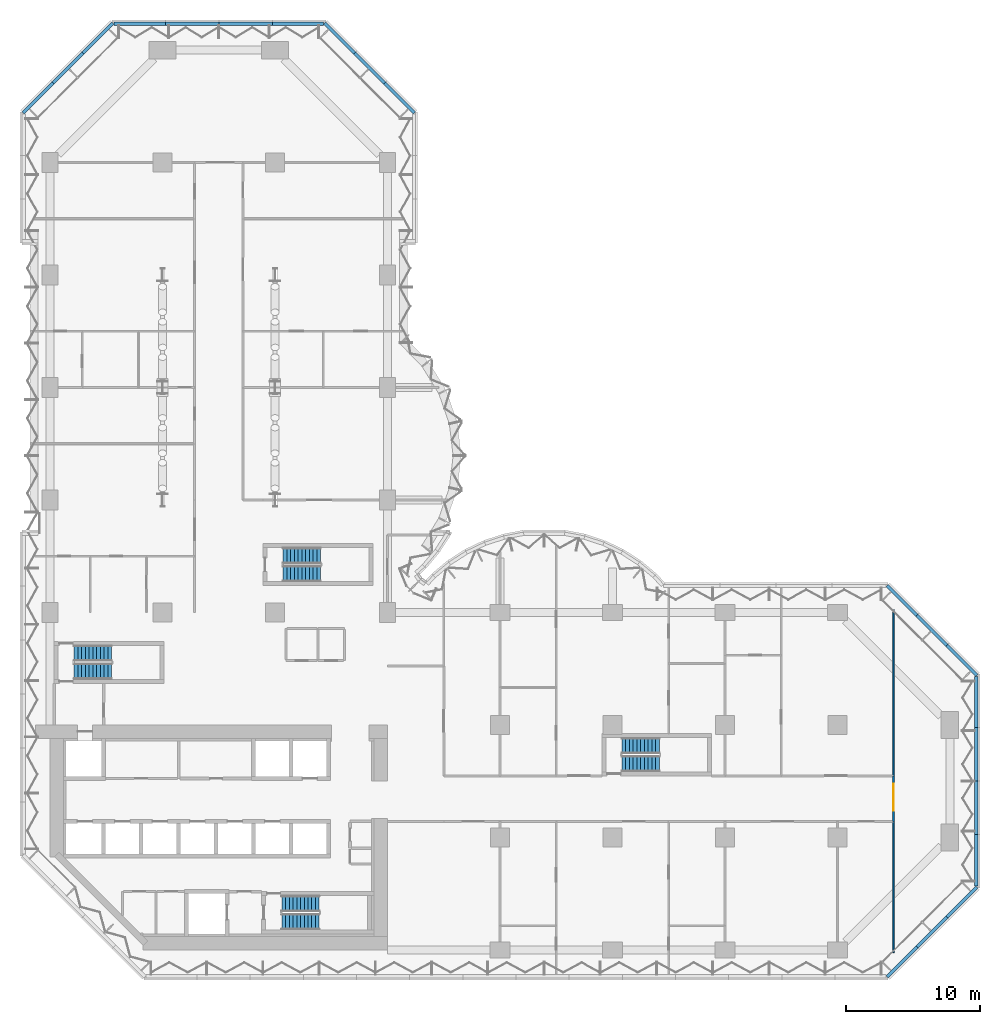
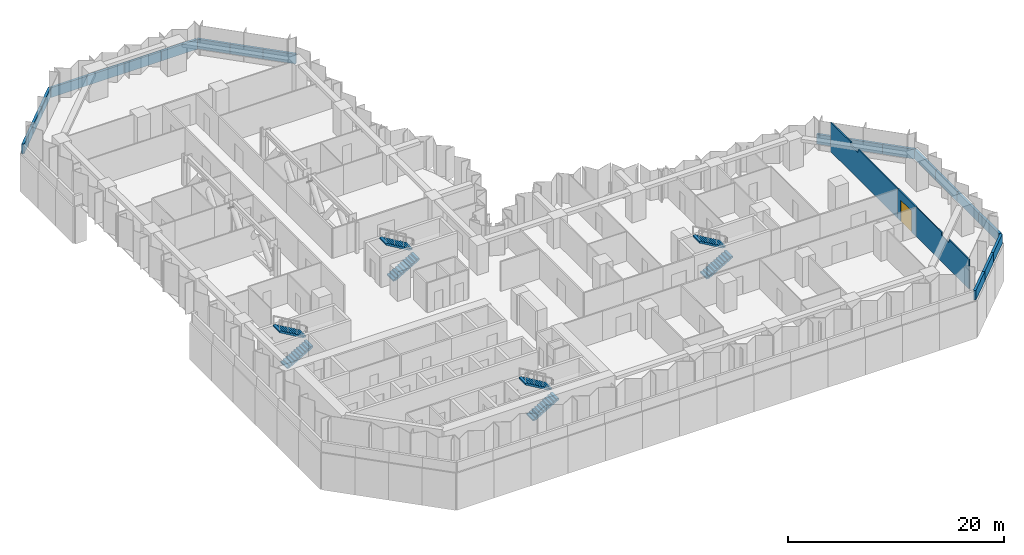
# One storey, part 15 of 24: 23 walls, 8 stair flights, 1 door, 1 opening, 4 elements without a shape of their own.
"""IFC4 building model written with IfcOpenShell, lengths in metres."""

from ifc_helpers import new_model, si_unit, direction, frame, frame_2d, origin, place, context, subcontext, project, spatial, polyline, rectangle, outline, extrude, material, layer, layer_set, type_object, element, fill, aggregate, save


model = new_model("IFC4")

# Units and contexts
model_context = context("Model", 3, precision=1e-05, world=origin(), true_north=direction((0.0, 1.0)))
body_context = subcontext(model_context, "Body", "Model", "MODEL_VIEW")
ifc_project = project(units=[si_unit("LENGTHUNIT", "METRE"), si_unit("AREAUNIT", "SQUARE_METRE"), si_unit("VOLUMEUNIT", "CUBIC_METRE"), si_unit("PLANEANGLEUNIT", "RADIAN"), si_unit("MASSUNIT", "GRAM", prefix="KILO")], contexts=[model_context])

# Site, building, storey
site_placement = place(None, origin())
site = spatial("IfcSite", under=ifc_project, at=site_placement, CompositionType="ELEMENT")
building_placement = place(site_placement, origin())
building = spatial("IfcBuilding", under=site, at=building_placement, Name="Brevane Broadcast Tower", CompositionType="ELEMENT")
storey_placement = place(building_placement, frame((0.0, 0.0, 36.5)))
storey = spatial("IfcBuildingStorey", under=building, at=storey_placement, Name="L06", CompositionType="ELEMENT", Elevation=36.5)

# Walls
ifc_material_1 = material(Name="Concrete C50/60", Category="concrete")
ifc_layer_1 = layer(ifc_material_1, 0.25)
ifc_layer_set_1 = layer_set([ifc_layer_1], Name="CORNICE PARAPET 1100")
wall_type_1 = type_object("IfcWallType", Name="CORNICE PARAPET 1100", PredefinedType="PARAPET", material=ifc_layer_set_1)
wall_1_placement = place(storey_placement, frame((62.5087890625, 27.211669921875, 0.0), z_axis=(0.0, 0.0, 1.0), x_axis=(0.70706814675, -0.707145413513, 0.0)))
element("IfcWall", 1, at=wall_1_placement, inside=storey, type_object=wall_type_1, Name="Cornice parapet", PredefinedType="PARAPET", context=body_context, shape_type="SweptSolid", body=[
    extrude(rectangle(XDim=3.15966796875, YDim=0.25, at=frame_2d((1.579833984375, 0.0))), origin(), (0.0, 0.0, 1.0), 1.10009765625),
])
wall_2_placement = place(storey_placement, frame((64.742919921875, 24.977294921875, 0.0), z_axis=(0.0, 0.0, 1.0), x_axis=(0.707106781187, -0.707106781187, 0.0)))
element("IfcWall", 2, at=wall_2_placement, inside=storey, type_object=wall_type_1, Name="Cornice parapet", PredefinedType="PARAPET", context=body_context, shape_type="SweptSolid", body=[
    extrude(rectangle(XDim=3.159912109375, YDim=0.25, at=frame_2d((1.580078125, 0.0))), origin(), (0.0, 0.0, 1.0), 1.10009765625),
])
wall_3_placement = place(storey_placement, frame((66.977294921875, 22.742919921875, 0.0), z_axis=(0.0, 0.0, 1.0), x_axis=(0.707145413513, -0.70706814675, 0.0)))
element("IfcWall", 3, at=wall_3_placement, inside=storey, type_object=wall_type_1, Name="Cornice parapet", PredefinedType="PARAPET", context=body_context, shape_type="SweptSolid", body=[
    extrude(rectangle(XDim=3.15966796875, YDim=0.25, at=frame_2d((1.579833984375, 0.0))), origin(), (0.0, 0.0, 1.0), 1.10009765625),
])
wall_4_placement = place(storey_placement, frame((69.175048828125, 20.427001953125, 0.0), z_axis=(0.0, 0.0, 1.0), x_axis=(0.0, -1.0, 0.0)))
element("IfcWall", 4, at=wall_4_placement, inside=storey, type_object=wall_type_1, Name="Cornice parapet", PredefinedType="PARAPET", context=body_context, shape_type="SweptSolid", body=[
    extrude(rectangle(XDim=3.82861328125, YDim=0.25, at=frame_2d((1.914306640625, 0.0))), origin(), (0.0, 0.0, 1.0), 1.10009765625),
])
wall_5_placement = place(storey_placement, frame((69.175048828125, 16.598388671875, 0.0), z_axis=(0.0, 0.0, 1.0), x_axis=(0.0, -1.0, 0.0)))
element("IfcWall", 5, at=wall_5_placement, inside=storey, type_object=wall_type_1, Name="Cornice parapet", PredefinedType="PARAPET", context=body_context, shape_type="SweptSolid", body=[
    extrude(rectangle(XDim=3.998291015625, YDim=0.25, at=frame_2d((1.9990234375, 0.0))), origin(), (0.0, 0.0, 1.0), 1.10009765625),
])
wall_6_placement = place(storey_placement, frame((69.175048828125, 12.60009765625, 0.0), z_axis=(0.0, 0.0, 1.0), x_axis=(0.0, -1.0, 0.0)))
element("IfcWall", 6, at=wall_6_placement, inside=storey, type_object=wall_type_1, Name="Cornice parapet", PredefinedType="PARAPET", context=body_context, shape_type="SweptSolid", body=[
    extrude(rectangle(XDim=3.99853515625, YDim=0.25, at=frame_2d((1.999267578125, 0.0))), origin(), (0.0, 0.0, 1.0), 1.10009765625),
])
wall_7_placement = place(storey_placement, frame((69.175048828125, 8.6015625, 0.0), z_axis=(0.0, 0.0, 1.0), x_axis=(0.0, -1.0, 0.0)))
element("IfcWall", 7, at=wall_7_placement, inside=storey, type_object=wall_type_1, Name="Cornice parapet", PredefinedType="PARAPET", context=body_context, shape_type="SweptSolid", body=[
    extrude(rectangle(XDim=3.82861328125, YDim=0.25, at=frame_2d((1.914306640625, 0.0))), origin(), (0.0, 0.0, 1.0), 1.10009765625),
])
for number, where, z_axis, x_axis, name in (
    (8, (69.211669921875, 4.69140625, 0.0), (0.0, 0.0, 1.0), (-0.707106781187, -0.707106781187, 0.0), "Cornice parapet"),
    (9, (66.977294921875, 2.45703125, 0.0), (0.0, 0.0, 1.0), (-0.707106781187, -0.707106781187, 0.0), "Cornice parapet"),
):
    element("IfcWall", number, at=place(storey_placement, frame(where, z_axis=z_axis, x_axis=x_axis)), inside=storey, type_object=wall_type_1, Name=name, PredefinedType="PARAPET", context=body_context, shape_type="SweptSolid", body=[
        extrude(rectangle(XDim=3.159912109375, YDim=0.25, at=frame_2d((1.580078125, 0.0))), origin(), (0.0, 0.0, 1.0), 1.10009765625),
    ])
for number, where, z_axis, x_axis, name in (
    (10, (64.742919921875, 0.22265625, 0.0), (0.0, 0.0, 1.0), (-0.70706814675, -0.707145413513, 0.0), "Cornice parapet"),
    (11, (-2.01171875, 62.5087890625, 0.0), (0.0, 0.0, 1.0), (0.707145413513, 0.70706814675, 0.0), "Cornice parapet"),
):
    element("IfcWall", number, at=place(storey_placement, frame(where, z_axis=z_axis, x_axis=x_axis)), inside=storey, type_object=wall_type_1, Name=name, PredefinedType="PARAPET", context=body_context, shape_type="SweptSolid", body=[
        extrude(rectangle(XDim=3.15966796875, YDim=0.25, at=frame_2d((1.579833984375, 0.0))), origin(), (0.0, 0.0, 1.0), 1.10009765625),
    ])
for number, where, z_axis, x_axis, name in (
    (12, (0.22265625, 64.742919921875, 0.0), (0.0, 0.0, 1.0), (0.707106781187, 0.707106781187, 0.0), "Cornice parapet"),
    (13, (2.45703125, 66.977294921875, 0.0), (0.0, 0.0, 1.0), (0.707106781187, 0.707106781187, 0.0), "Cornice parapet"),
):
    element("IfcWall", number, at=place(storey_placement, frame(where, z_axis=z_axis, x_axis=x_axis)), inside=storey, type_object=wall_type_1, Name=name, PredefinedType="PARAPET", context=body_context, shape_type="SweptSolid", body=[
        extrude(rectangle(XDim=3.159912109375, YDim=0.25, at=frame_2d((1.580078125, 0.0))), origin(), (0.0, 0.0, 1.0), 1.10009765625),
    ])
wall_8_placement = place(storey_placement, frame((4.77294921875, 69.175048828125, 0.0), z_axis=(0.0, 0.0, 1.0), x_axis=(1.0, 0.0, 0.0)))
element("IfcWall", 14, at=wall_8_placement, inside=storey, type_object=wall_type_1, Name="Cornice parapet", PredefinedType="PARAPET", context=body_context, shape_type="SweptSolid", body=[
    extrude(rectangle(XDim=3.82861328125, YDim=0.25, at=frame_2d((1.914306640625, 0.0))), origin(), (0.0, 0.0, 1.0), 1.10009765625),
])
wall_9_placement = place(storey_placement, frame((8.6015625, 69.175048828125, 0.0), z_axis=(0.0, 0.0, 1.0), x_axis=(1.0, 0.0, 0.0)))
element("IfcWall", 15, at=wall_9_placement, inside=storey, type_object=wall_type_1, Name="Cornice parapet", PredefinedType="PARAPET", context=body_context, shape_type="SweptSolid", body=[
    extrude(rectangle(XDim=3.99853515625, YDim=0.25, at=frame_2d((1.999267578125, 0.0))), origin(), (0.0, 0.0, 1.0), 1.10009765625),
])
wall_10_placement = place(storey_placement, frame((12.60009765625, 69.175048828125, 0.0), z_axis=(0.0, 0.0, 1.0), x_axis=(1.0, 0.0, 0.0)))
element("IfcWall", 16, at=wall_10_placement, inside=storey, type_object=wall_type_1, Name="Cornice parapet", PredefinedType="PARAPET", context=body_context, shape_type="SweptSolid", body=[
    extrude(rectangle(XDim=3.998291015625, YDim=0.25, at=frame_2d((1.9990234375, 0.0))), origin(), (0.0, 0.0, 1.0), 1.10009765625),
])
wall_11_placement = place(storey_placement, frame((16.598388671875, 69.175048828125, 0.0), z_axis=(0.0, 0.0, 1.0), x_axis=(1.0, 0.0, 0.0)))
element("IfcWall", 17, at=wall_11_placement, inside=storey, type_object=wall_type_1, Name="Cornice parapet", PredefinedType="PARAPET", context=body_context, shape_type="SweptSolid", body=[
    extrude(rectangle(XDim=3.82861328125, YDim=0.25, at=frame_2d((1.914306640625, 0.0))), origin(), (0.0, 0.0, 1.0), 1.10009765625),
])
wall_12_placement = place(storey_placement, frame((20.5087890625, 69.211669921875, 0.0), z_axis=(0.0, 0.0, 1.0), x_axis=(0.70706814675, -0.707145413513, 0.0)))
element("IfcWall", 18, at=wall_12_placement, inside=storey, type_object=wall_type_1, Name="Cornice parapet", PredefinedType="PARAPET", context=body_context, shape_type="SweptSolid", body=[
    extrude(rectangle(XDim=3.15966796875, YDim=0.25, at=frame_2d((1.579833984375, 0.0))), origin(), (0.0, 0.0, 1.0), 1.10009765625),
])
wall_13_placement = place(storey_placement, frame((22.742919921875, 66.977294921875, 0.0), z_axis=(0.0, 0.0, 1.0), x_axis=(0.707106781187, -0.707106781187, 0.0)))
element("IfcWall", 19, at=wall_13_placement, inside=storey, type_object=wall_type_1, Name="Cornice parapet", PredefinedType="PARAPET", context=body_context, shape_type="SweptSolid", body=[
    extrude(rectangle(XDim=3.159912109375, YDim=0.25, at=frame_2d((1.580078125, 0.0))), origin(), (0.0, 0.0, 1.0), 1.10009765625),
])
wall_14_placement = place(storey_placement, frame((24.977294921875, 64.742919921875, 0.0), z_axis=(0.0, 0.0, 1.0), x_axis=(0.707145413513, -0.70706814675, 0.0)))
element("IfcWall", 20, at=wall_14_placement, inside=storey, type_object=wall_type_1, Name="Cornice parapet", PredefinedType="PARAPET", context=body_context, shape_type="SweptSolid", body=[
    extrude(rectangle(XDim=3.15966796875, YDim=0.25, at=frame_2d((1.579833984375, 0.0))), origin(), (0.0, 0.0, 1.0), 1.10009765625),
])
ifc_material_2 = material(Name="Gypsum board partition")
ifc_layer_2 = layer(ifc_material_2, 0.10009765625)
ifc_layer_set_2 = layer_set([ifc_layer_2], Name="PARTITION 100 STUD")
wall_type_2 = type_object("IfcWallType", Name="PARTITION 100 STUD", PredefinedType="PARTITIONING", material=ifc_layer_set_2)
wall_15_placement = place(storey_placement, frame((63.0, -0.199951171875, 0.0), z_axis=(0.0, 0.0, 1.0), x_axis=(0.0, 1.0, 0.0)))
element("IfcWall", 21, at=wall_15_placement, inside=storey, type_object=wall_type_2, Name="Partition G01-020", PredefinedType="PARTITIONING", context=body_context, shape_type="SweptSolid", body=[
    extrude(outline(polyline([(0.0, 0.0), (9.800048828125, 0.0), (9.800048828125, 3.330078125), (5.065673828125, 3.330078125), (5.063720703125, 2.97998046875), (3.736328125, 2.97998046875), (3.734375, 3.330078125), (0.0, 3.330078125), (0.0, 0.0)])), frame((0.0, 0.050048828125, 0.0), z_axis=(0.0, -1.0, 0.0), x_axis=(1.0, 0.0, 0.0)), (0.0, 0.0, 1.0), 0.10009765625),
])
ifc_layer_3 = layer(ifc_material_2, 0.125)
ifc_layer_set_3 = layer_set([ifc_layer_3], Name="PARTITION 125 ACOUSTIC")
wall_type_3 = type_object("IfcWallType", Name="PARTITION 125 ACOUSTIC", PredefinedType="PARTITIONING", material=ifc_layer_set_3)
wall_16_placement = place(storey_placement, frame((63.0, 13.0, 0.0), z_axis=(0.0, 0.0, 1.0), x_axis=(0.0, 1.0, 0.0)))
element("IfcWall", 22, at=wall_16_placement, inside=storey, type_object=wall_type_3, Name="Partition G01-021", PredefinedType="PARTITIONING", context=body_context, shape_type="SweptSolid", body=[
    extrude(outline(polyline([(0.0, 0.0), (12.39990234375, 0.0), (12.39990234375, 3.330078125), (8.67822265625, 3.330078125), (8.67626953125, 2.97998046875), (7.32373046875, 2.97998046875), (7.32177734375, 3.330078125), (0.0, 3.330078125), (0.0, 0.0)])), frame((0.0, 0.0625, 0.0), z_axis=(0.0, -1.0, 0.0), x_axis=(1.0, 0.0, 0.0)), (0.0, 0.0, 1.0), 0.125),
])

# Wall, opening, door
ifc_layer_4 = layer(ifc_material_2, 0.14990234375)
ifc_layer_set_4 = layer_set([ifc_layer_4], Name="PARTITION 150 EI 60")
wall_type_4 = type_object("IfcWallType", Name="PARTITION 150 EI 60", PredefinedType="PARTITIONING", material=ifc_layer_set_4)
wall_17_placement = place(storey_placement, frame((63.0, 13.0, 0.0), z_axis=(0.0, 0.0, 1.0), x_axis=(0.0, -1.0, 0.0)))
wall_17 = element("IfcWall", 23, at=wall_17_placement, inside=storey, type_object=wall_type_4, Name="Partition G01-007", PredefinedType="PARTITIONING", context=body_context, shape_type="SweptSolid", body=[
    extrude(rectangle(XDim=3.39990234375, YDim=0.14990234375, at=frame_2d((1.699951171875, 0.0))), origin(), (0.0, 0.0, 1.0), 3.330078125),
])
opening_placement = place(wall_17_placement, frame((0.60009765625, 0.0, 0.0)))
opening = element("IfcOpeningElement", 24, at=opening_placement, cuts=wall_17, Name="Opening D07-002", PredefinedType="OPENING", context=body_context, shape_type="SweptSolid", body=[
    extrude(rectangle(XDim=2.0, YDim=2.39990234375, at=frame_2d((1.0, 1.199951171875))), frame((0.0, 0.0849609375, 0.0), z_axis=(0.0, -1.0, 0.0), x_axis=(1.0, 0.0, 0.0)), (0.0, 0.0, 1.0), 0.169921875),
])
ifc_material_3 = material(Name="Fire-rated timber door leaf", Category="wood")
door_type = type_object("IfcDoorType", Name="DOOR DOUBLE 2000 FD30S", OperationType="DOUBLE_DOOR_SINGLE_SWING", PredefinedType="DOOR", material=ifc_material_3)
door_placement = place(opening_placement, origin())
door = element("IfcDoor", 25, at=door_placement, inside=storey, type_object=door_type, Name="Door D07-002", OperationType="DOUBLE_DOOR_SINGLE_SWING", OverallHeight=2.39990234375, OverallWidth=2.0, PredefinedType="DOOR", context=body_context, shape_type="SweptSolid", body=[
    extrude(rectangle(XDim=2.0, YDim=2.39990234375, at=frame_2d((1.0, 1.199951171875))), frame((0.0, 0.02490234375, 0.0), z_axis=(0.0, -1.0, 0.0), x_axis=(1.0, 0.0, 0.0)), (0.0, 0.0, 1.0), 0.050048828125),
])
fill(opening, door)

# Stair, stair flights
stair_type = type_object("IfcStairType", Name="Exit stair 22 risers", PredefinedType="HALF_TURN_STAIR", material=ifc_material_1)
stair_1_placement = place(storey_placement, origin())
stair_1 = element("IfcStair", 26, at=stair_1_placement, inside=storey, type_object=stair_type, Name="L06 Exit stair ST-1", PredefinedType="HALF_TURN_STAIR")
stair_flight_type = type_object("IfcStairFlightType", Name="Exit stair flight 22 risers", PredefinedType="STRAIGHT", material=ifc_material_1)
stair_flight_1_placement = place(storey_placement, frame((1.800048828125, 20.800048828125, 0.0), z_axis=(0.0, 0.0, 1.0), x_axis=(1.0, 0.0, 0.0)))
stair_flight_1 = element("IfcStairFlight", 27, at=stair_flight_1_placement, type_object=stair_flight_type, Name="ST-1 flight 1", NumberOfRisers=11, NumberOfTreads=10, PredefinedType="STRAIGHT", RiserHeight=0.163636364, TreadLength=0.28, context=body_context, shape_type="SweptSolid", body=[
    extrude(outline(polyline([(0.0, 0.0), (0.0, 0.16357421875), (0.280029296875, 0.16357421875), (0.280029296875, 0.327392578125), (0.56005859375, 0.327392578125), (0.56005859375, 0.490966796875), (0.840087890625, 0.490966796875), (0.840087890625, 0.654541015625), (1.1201171875, 0.654541015625), (1.1201171875, 0.818115234375), (1.39990234375, 0.818115234375), (1.39990234375, 0.98193359375), (1.679931640625, 0.98193359375), (1.679931640625, 1.1455078125), (1.9599609375, 1.1455078125), (1.9599609375, 1.30908203125), (2.239990234375, 1.30908203125), (2.239990234375, 1.47265625), (2.52001953125, 1.47265625), (2.52001953125, 1.636474609375), (2.800048828125, 1.636474609375), (2.800048828125, 1.800048828125), (2.800048828125, 1.462646484375), (0.297119140625, 0.0), (0.0, 0.0)])), frame((0.0, 0.60009765625, 0.0), z_axis=(0.0, -1.0, 0.0), x_axis=(1.0, 0.0, 0.0)), (0.0, 0.0, 1.0), 1.199951171875),
])
stair_flight_2_placement = place(storey_placement, frame((4.60009765625, 22.14990234375, 1.800048828125), z_axis=(0.0, 0.0, 1.0), x_axis=(-1.0, 0.0, 0.0)))
stair_flight_2 = element("IfcStairFlight", 28, at=stair_flight_2_placement, type_object=stair_flight_type, Name="ST-1 flight 2", NumberOfRisers=11, NumberOfTreads=10, PredefinedType="STRAIGHT", RiserHeight=0.163636364, TreadLength=0.28, context=body_context, shape_type="SweptSolid", body=[
    extrude(outline(polyline([(0.0, 0.0), (0.0, 0.16357421875), (0.280029296875, 0.16357421875), (0.280029296875, 0.327392578125), (0.56005859375, 0.327392578125), (0.56005859375, 0.490966796875), (0.840087890625, 0.490966796875), (0.840087890625, 0.654541015625), (1.1201171875, 0.654541015625), (1.1201171875, 0.818115234375), (1.39990234375, 0.818115234375), (1.39990234375, 0.98193359375), (1.679931640625, 0.98193359375), (1.679931640625, 1.1455078125), (1.9599609375, 1.1455078125), (1.9599609375, 1.30908203125), (2.239990234375, 1.30908203125), (2.239990234375, 1.47265625), (2.52001953125, 1.47265625), (2.52001953125, 1.636474609375), (2.800048828125, 1.636474609375), (2.800048828125, 1.800048828125), (2.800048828125, 1.462646484375), (0.297119140625, 0.0), (0.0, 0.0)])), frame((0.0, 0.60009765625, 0.0), z_axis=(0.0, -1.0, 0.0), x_axis=(1.0, 0.0, 0.0)), (0.0, 0.0, 1.0), 1.199951171875),
])
aggregate(stair_1, [stair_flight_1, stair_flight_2])

stair_2_placement = place(storey_placement, origin())
stair_2 = element("IfcStair", 29, at=stair_2_placement, inside=storey, type_object=stair_type, Name="L06 Exit stair ST-2", PredefinedType="HALF_TURN_STAIR")
stair_flight_3_placement = place(storey_placement, frame((17.300048828125, 2.10009765625, 0.0), z_axis=(0.0, 0.0, 1.0), x_axis=(1.0, 0.0, 0.0)))
stair_flight_3 = element("IfcStairFlight", 30, at=stair_flight_3_placement, type_object=stair_flight_type, Name="ST-2 flight 1", NumberOfRisers=11, NumberOfTreads=10, PredefinedType="STRAIGHT", RiserHeight=0.163636364, TreadLength=0.28, context=body_context, shape_type="SweptSolid", body=[
    extrude(outline(polyline([(0.0, 0.0), (0.0, 0.16357421875), (0.280029296875, 0.16357421875), (0.280029296875, 0.327392578125), (0.56005859375, 0.327392578125), (0.56005859375, 0.490966796875), (0.840087890625, 0.490966796875), (0.840087890625, 0.654541015625), (1.1201171875, 0.654541015625), (1.1201171875, 0.818115234375), (1.39990234375, 0.818115234375), (1.39990234375, 0.98193359375), (1.679931640625, 0.98193359375), (1.679931640625, 1.1455078125), (1.9599609375, 1.1455078125), (1.9599609375, 1.30908203125), (2.239990234375, 1.30908203125), (2.239990234375, 1.47265625), (2.52001953125, 1.47265625), (2.52001953125, 1.636474609375), (2.800048828125, 1.636474609375), (2.800048828125, 1.800048828125), (2.800048828125, 1.462646484375), (0.297119140625, 0.0), (0.0, 0.0)])), frame((0.0, 0.60009765625, 0.0), z_axis=(0.0, -1.0, 0.0), x_axis=(1.0, 0.0, 0.0)), (0.0, 0.0, 1.0), 1.199951171875),
])
stair_flight_4_placement = place(storey_placement, frame((20.10009765625, 3.449951171875, 1.800048828125), z_axis=(0.0, 0.0, 1.0), x_axis=(-1.0, 0.0, 0.0)))
stair_flight_4 = element("IfcStairFlight", 31, at=stair_flight_4_placement, type_object=stair_flight_type, Name="ST-2 flight 2", NumberOfRisers=11, NumberOfTreads=10, PredefinedType="STRAIGHT", RiserHeight=0.163636364, TreadLength=0.28, context=body_context, shape_type="SweptSolid", body=[
    extrude(outline(polyline([(0.0, 0.0), (0.0, 0.16357421875), (0.280029296875, 0.16357421875), (0.280029296875, 0.327392578125), (0.56005859375, 0.327392578125), (0.56005859375, 0.490966796875), (0.840087890625, 0.490966796875), (0.840087890625, 0.654541015625), (1.1201171875, 0.654541015625), (1.1201171875, 0.818115234375), (1.39990234375, 0.818115234375), (1.39990234375, 0.98193359375), (1.679931640625, 0.98193359375), (1.679931640625, 1.1455078125), (1.9599609375, 1.1455078125), (1.9599609375, 1.30908203125), (2.239990234375, 1.30908203125), (2.239990234375, 1.47265625), (2.52001953125, 1.47265625), (2.52001953125, 1.636474609375), (2.800048828125, 1.636474609375), (2.800048828125, 1.800048828125), (2.800048828125, 1.462646484375), (0.297119140625, 0.0), (0.0, 0.0)])), frame((0.0, 0.60009765625, 0.0), z_axis=(0.0, -1.0, 0.0), x_axis=(1.0, 0.0, 0.0)), (0.0, 0.0, 1.0), 1.199951171875),
])
aggregate(stair_2, [stair_flight_3, stair_flight_4])

stair_3_placement = place(storey_placement, origin())
stair_3 = element("IfcStair", 32, at=stair_3_placement, inside=storey, type_object=stair_type, Name="L06 Exit stair ST-3", PredefinedType="HALF_TURN_STAIR")
stair_flight_5_placement = place(storey_placement, frame((17.39990234375, 28.10009765625, 0.0), z_axis=(0.0, 0.0, 1.0), x_axis=(1.0, 0.0, 0.0)))
stair_flight_5 = element("IfcStairFlight", 33, at=stair_flight_5_placement, type_object=stair_flight_type, Name="ST-3 flight 1", NumberOfRisers=11, NumberOfTreads=10, PredefinedType="STRAIGHT", RiserHeight=0.163636364, TreadLength=0.28, context=body_context, shape_type="SweptSolid", body=[
    extrude(outline(polyline([(0.0, 0.0), (0.0, 0.16357421875), (0.280029296875, 0.16357421875), (0.280029296875, 0.327392578125), (0.56005859375, 0.327392578125), (0.56005859375, 0.490966796875), (0.840087890625, 0.490966796875), (0.840087890625, 0.654541015625), (1.1201171875, 0.654541015625), (1.1201171875, 0.818115234375), (1.39990234375, 0.818115234375), (1.39990234375, 0.98193359375), (1.679931640625, 0.98193359375), (1.679931640625, 1.1455078125), (1.9599609375, 1.1455078125), (1.9599609375, 1.30908203125), (2.239990234375, 1.30908203125), (2.239990234375, 1.47265625), (2.52001953125, 1.47265625), (2.52001953125, 1.636474609375), (2.800048828125, 1.636474609375), (2.800048828125, 1.800048828125), (2.800048828125, 1.462646484375), (0.297119140625, 0.0), (0.0, 0.0)])), frame((0.0, 0.60009765625, 0.0), z_axis=(0.0, -1.0, 0.0), x_axis=(1.0, 0.0, 0.0)), (0.0, 0.0, 1.0), 1.199951171875),
])
stair_flight_6_placement = place(storey_placement, frame((20.199951171875, 29.449951171875, 1.800048828125), z_axis=(0.0, 0.0, 1.0), x_axis=(-1.0, 0.0, 0.0)))
stair_flight_6 = element("IfcStairFlight", 34, at=stair_flight_6_placement, type_object=stair_flight_type, Name="ST-3 flight 2", NumberOfRisers=11, NumberOfTreads=10, PredefinedType="STRAIGHT", RiserHeight=0.163636364, TreadLength=0.28, context=body_context, shape_type="SweptSolid", body=[
    extrude(outline(polyline([(0.0, 0.0), (0.0, 0.16357421875), (0.280029296875, 0.16357421875), (0.280029296875, 0.327392578125), (0.56005859375, 0.327392578125), (0.56005859375, 0.490966796875), (0.840087890625, 0.490966796875), (0.840087890625, 0.654541015625), (1.1201171875, 0.654541015625), (1.1201171875, 0.818115234375), (1.39990234375, 0.818115234375), (1.39990234375, 0.98193359375), (1.679931640625, 0.98193359375), (1.679931640625, 1.1455078125), (1.9599609375, 1.1455078125), (1.9599609375, 1.30908203125), (2.239990234375, 1.30908203125), (2.239990234375, 1.47265625), (2.52001953125, 1.47265625), (2.52001953125, 1.636474609375), (2.800048828125, 1.636474609375), (2.800048828125, 1.800048828125), (2.800048828125, 1.462646484375), (0.297119140625, 0.0), (0.0, 0.0)])), frame((0.0, 0.60009765625, 0.0), z_axis=(0.0, -1.0, 0.0), x_axis=(1.0, 0.0, 0.0)), (0.0, 0.0, 1.0), 1.199951171875),
])
aggregate(stair_3, [stair_flight_5, stair_flight_6])

stair_4_placement = place(storey_placement, origin())
stair_4 = element("IfcStair", 35, at=stair_4_placement, inside=storey, type_object=stair_type, Name="L06 Exit stair ST-4", PredefinedType="HALF_TURN_STAIR")
stair_flight_7_placement = place(storey_placement, frame((42.699951171875, 13.89990234375, 0.0), z_axis=(0.0, 0.0, 1.0), x_axis=(1.0, 0.0, 0.0)))
stair_flight_7 = element("IfcStairFlight", 36, at=stair_flight_7_placement, type_object=stair_flight_type, Name="ST-4 flight 1", NumberOfRisers=11, NumberOfTreads=10, PredefinedType="STRAIGHT", RiserHeight=0.163636364, TreadLength=0.28, context=body_context, shape_type="SweptSolid", body=[
    extrude(outline(polyline([(0.0, 0.0), (0.0, 0.16357421875), (0.280029296875, 0.16357421875), (0.280029296875, 0.327392578125), (0.56005859375, 0.327392578125), (0.56005859375, 0.490966796875), (0.840087890625, 0.490966796875), (0.840087890625, 0.654541015625), (1.1201171875, 0.654541015625), (1.1201171875, 0.818115234375), (1.39990234375, 0.818115234375), (1.39990234375, 0.98193359375), (1.679931640625, 0.98193359375), (1.679931640625, 1.1455078125), (1.9599609375, 1.1455078125), (1.9599609375, 1.30908203125), (2.239990234375, 1.30908203125), (2.239990234375, 1.47265625), (2.52001953125, 1.47265625), (2.52001953125, 1.636474609375), (2.800048828125, 1.636474609375), (2.800048828125, 1.800048828125), (2.800048828125, 1.462646484375), (0.297119140625, 0.0), (0.0, 0.0)])), frame((0.0, 0.60009765625, 0.0), z_axis=(0.0, -1.0, 0.0), x_axis=(1.0, 0.0, 0.0)), (0.0, 0.0, 1.0), 1.199951171875),
])
stair_flight_8_placement = place(storey_placement, frame((45.5, 15.25, 1.800048828125), z_axis=(0.0, 0.0, 1.0), x_axis=(-1.0, 0.0, 0.0)))
stair_flight_8 = element("IfcStairFlight", 37, at=stair_flight_8_placement, type_object=stair_flight_type, Name="ST-4 flight 2", NumberOfRisers=11, NumberOfTreads=10, PredefinedType="STRAIGHT", RiserHeight=0.163636364, TreadLength=0.28, context=body_context, shape_type="SweptSolid", body=[
    extrude(outline(polyline([(0.0, 0.0), (0.0, 0.16357421875), (0.280029296875, 0.16357421875), (0.280029296875, 0.327392578125), (0.56005859375, 0.327392578125), (0.56005859375, 0.490966796875), (0.840087890625, 0.490966796875), (0.840087890625, 0.654541015625), (1.1201171875, 0.654541015625), (1.1201171875, 0.818115234375), (1.39990234375, 0.818115234375), (1.39990234375, 0.98193359375), (1.679931640625, 0.98193359375), (1.679931640625, 1.1455078125), (1.9599609375, 1.1455078125), (1.9599609375, 1.30908203125), (2.239990234375, 1.30908203125), (2.239990234375, 1.47265625), (2.52001953125, 1.47265625), (2.52001953125, 1.636474609375), (2.800048828125, 1.636474609375), (2.800048828125, 1.800048828125), (2.800048828125, 1.462646484375), (0.297119140625, 0.0), (0.0, 0.0)])), frame((0.0, 0.60009765625, 0.0), z_axis=(0.0, -1.0, 0.0), x_axis=(1.0, 0.0, 0.0)), (0.0, 0.0, 1.0), 1.199951171875),
])
aggregate(stair_4, [stair_flight_7, stair_flight_8])

save(model, "model.ifc")
